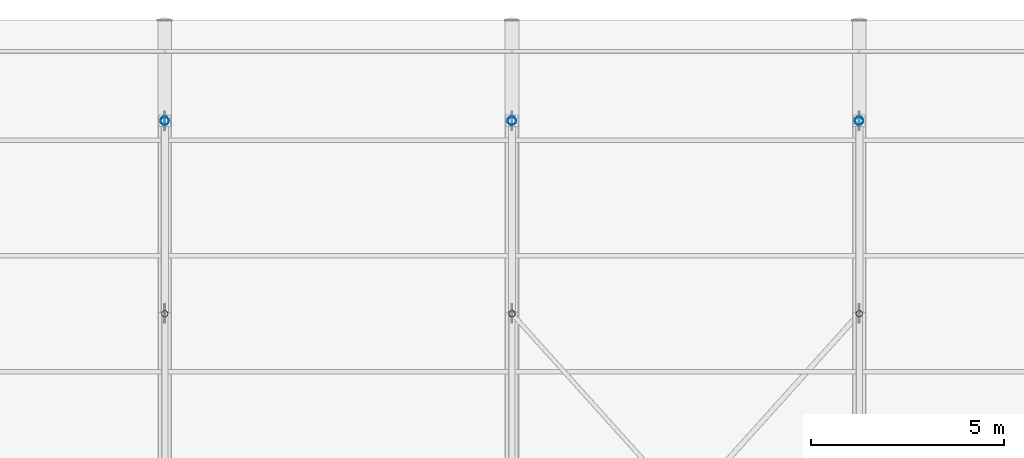
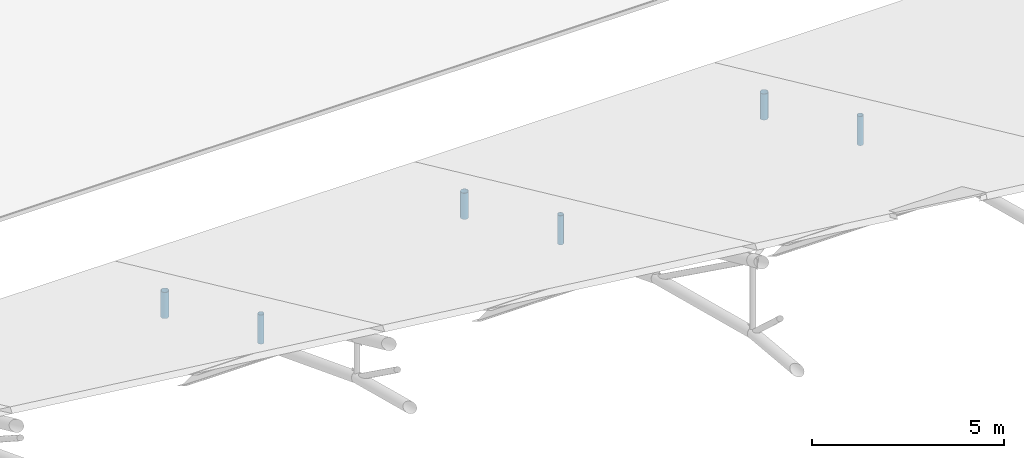
# One storey, part 78 of 107: 6 members.
"""IFC4 building model written with IfcOpenShell, lengths in metres."""

from ifc_helpers import new_model, si_unit, derived_unit, direction, frame, origin, origin_2d, place, context, subcontext, project, spatial, hollow_circle, extrude, material, material_profile, profile_set, type_object, element, save


model = new_model("IFC4")

# Units and contexts
model_context = context("Model", 3, precision=1e-05, world=origin(), true_north=direction((0.0, 1.0)))
body_context = subcontext(model_context, "Body", "Model", "MODEL_VIEW")
ifc_project = project(units=[si_unit("LENGTHUNIT", "METRE"), si_unit("AREAUNIT", "SQUARE_METRE"), si_unit("VOLUMEUNIT", "CUBIC_METRE"), si_unit("PLANEANGLEUNIT", "RADIAN"), si_unit("MASSUNIT", "GRAM", prefix="KILO"), si_unit("THERMODYNAMICTEMPERATUREUNIT", "KELVIN"), si_unit("TIMEUNIT", "SECOND"), derived_unit("THERMALTRANSMITTANCEUNIT", [(si_unit("MASSUNIT", "GRAM", prefix="KILO"), 1), (si_unit("THERMODYNAMICTEMPERATUREUNIT", "KELVIN"), -1), (si_unit("TIMEUNIT", "SECOND"), -3)])], contexts=[model_context])

# Site, building, storey
site_placement = place(None, origin())
site = spatial("IfcSite", under=ifc_project, at=site_placement, CompositionType="ELEMENT")
building_placement = place(site_placement, origin())
building = spatial("IfcBuilding", under=site, at=building_placement, Name="Cambertide Market Hall", CompositionType="ELEMENT")
storey_placement = place(building_placement, frame((0.0, 0.0, 18.300048828125)))
storey = spatial("IfcBuildingStorey", under=building, at=storey_placement, Name="RF", CompositionType="ELEMENT", Elevation=18.300048828125)

# Members
ifc_material_1 = material(Name="Steel S355", Category="steel")
ifc_material_profile_1 = material_profile(ifc_material_1, hollow_circle(Radius=0.084228515625, WallThickness=0.00634765625, at=origin_2d()), Name="CHS 168.3x6.3")
ifc_profile_set_1 = profile_set([ifc_material_profile_1], Name="Steel S355")
member_type_1 = type_object("IfcMemberType", Name="Structural Brace CHS 168.3x6.3", PredefinedType="BRACE", material=ifc_profile_set_1)
for number, where, z_axis, x_axis, name in (
    (1, (60.0, 87.0, -8.1767578125), (0.0, 0.0, 1.0), (1.0, 0.0, 0.0), "Roof Truss 3 Web Post 8"),
    (2, (69.0, 87.0, -8.1767578125), (0.0, 0.0, 1.0), (1.0, 0.0, 0.0), "Roof Truss 4 Web Post 8"),
    (3, (78.0, 87.0, -8.1767578125), (0.0, 0.0, 1.0), (1.0, 0.0, 0.0), "Roof Truss 5 Web Post 8"),
):
    element("IfcMember", number, at=place(storey_placement, frame(where, z_axis=z_axis, x_axis=x_axis)), inside=storey, type_object=member_type_1, Name=name, PredefinedType="BRACE", context=body_context, shape_type="SweptSolid", body=[
        extrude(hollow_circle(Radius=0.084228515625, WallThickness=0.00634765625, at=origin_2d()), origin(), (0.0, 0.0, 1.0), 0.9267578125),
    ])
ifc_material_2 = material(Name="Steel S355", Category="steel")
ifc_material_profile_2 = material_profile(ifc_material_2, hollow_circle(Radius=0.109619140625, WallThickness=0.008056640625, at=origin_2d()), Name="CHS 219.1x8")
ifc_profile_set_2 = profile_set([ifc_material_profile_2], Name="Steel S355")
member_type_2 = type_object("IfcMemberType", Name="Structural Brace CHS 219.1x8", PredefinedType="BRACE", material=ifc_profile_set_2)
for number, where, z_axis, x_axis, name in (
    (4, (60.0, 92.0, -10.380126953125), (0.0, 0.0, 1.0), (1.0, 0.0, 0.0), "Roof Truss 3 Web Post 9"),
    (5, (69.0, 92.0, -10.380126953125), (0.0, 0.0, 1.0), (1.0, 0.0, 0.0), "Roof Truss 4 Web Post 9"),
    (6, (78.0, 92.0, -10.380126953125), (0.0, 0.0, 1.0), (1.0, 0.0, 0.0), "Roof Truss 5 Web Post 9"),
):
    element("IfcMember", number, at=place(storey_placement, frame(where, z_axis=z_axis, x_axis=x_axis)), inside=storey, type_object=member_type_2, Name=name, PredefinedType="BRACE", context=body_context, shape_type="SweptSolid", body=[
        extrude(hollow_circle(Radius=0.109619140625, WallThickness=0.008056640625, at=origin_2d()), origin(), (0.0, 0.0, 1.0), 0.830078125),
    ])

save(model, "model.ifc")
